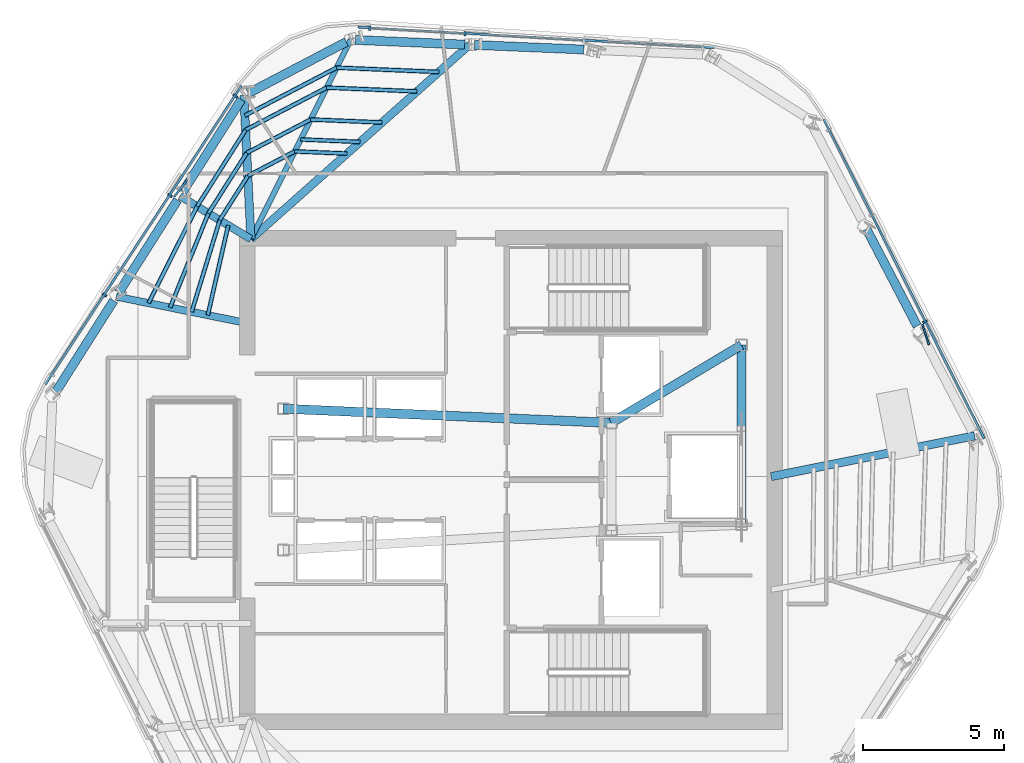
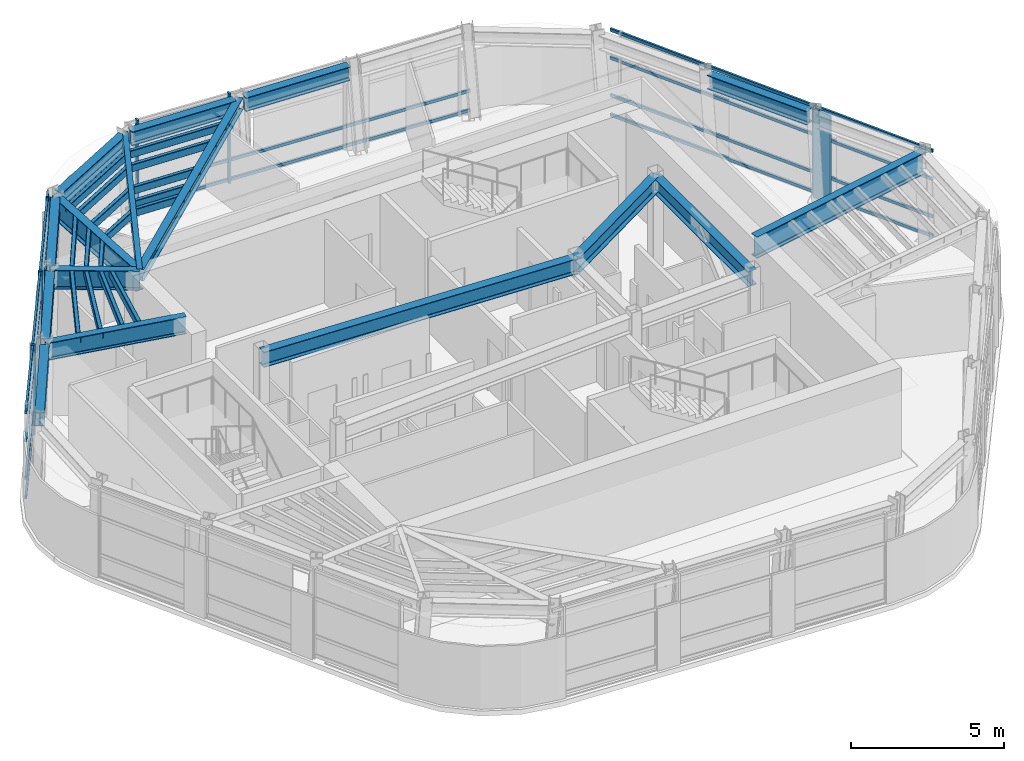
# One storey, part 4 of 13: 34 members, 16 beams, 3 elements without a shape of their own.
"""IFC4 building model written with IfcOpenShell, lengths in metres."""

from ifc_helpers import new_model, si_unit, direction, frame, origin, origin_2d, place, context, subcontext, project, spatial, rectangle, hollow_rectangle, i_section, extrude, material, layer, layer_set, material_profile, profile_set, type_object, element, aggregate, save


model = new_model("IFC4")

# Units and contexts
model_context = context("Model", 3, precision=1e-05, world=origin(), true_north=direction((0.0, 1.0)))
body_context = subcontext(model_context, "Body", "Model", "MODEL_VIEW")
ifc_project = project(units=[si_unit("LENGTHUNIT", "METRE"), si_unit("AREAUNIT", "SQUARE_METRE"), si_unit("VOLUMEUNIT", "CUBIC_METRE"), si_unit("PLANEANGLEUNIT", "RADIAN"), si_unit("MASSUNIT", "GRAM", prefix="KILO")], contexts=[model_context])

# Site, building, storey
site_placement = place(None, origin())
site = spatial("IfcSite", under=ifc_project, at=site_placement, CompositionType="ELEMENT")
building_placement = place(site_placement, origin())
building = spatial("IfcBuilding", under=site, at=building_placement, Name="Valkerne Bourse Tower", CompositionType="ELEMENT")
storey_placement = place(building_placement, frame((0.0, 0.0, 269.800048828125)))
storey = spatial("IfcBuildingStorey", under=building, at=storey_placement, Name="L68", CompositionType="ELEMENT", Elevation=269.800048828125)

# Beams
ifc_material_1 = material(Name="Steel ASTM A992", Category="steel")
ifc_material_profile_1 = material_profile(ifc_material_1, i_section(OverallWidth=0.1904296875, OverallDepth=0.457275390625, WebThickness=0.009033203125, FlangeThickness=0.014404296875, FilletRadius=0.01513671875, at=origin_2d()), Name="W18X50")
ifc_profile_set_1 = profile_set([ifc_material_profile_1], Name="Steel ASTM A992")
beam_type_1 = type_object("IfcBeamType", Name="BM-W18X50", PredefinedType="JOIST", material=ifc_profile_set_1)
beam_1_placement = place(storey_placement, frame((41.1240234375, 42.449951171875, 3.371337890625), z_axis=(-0.447102079797, -0.894482940162, 0.0), x_axis=(0.894482940162, -0.447102079797, 0.0)))
element("IfcBeam", 1, at=beam_1_placement, inside=storey, type_object=beam_type_1, Name="L68 Radial Composite Floor Beam 03", PredefinedType="JOIST", context=body_context, shape_type="SweptSolid", body=[
    extrude(i_section(OverallWidth=0.1904296875, OverallDepth=0.457275390625, WebThickness=0.009033203125, FlangeThickness=0.014404296875, FilletRadius=0.01513671875, at=origin_2d()), origin(), (0.0, 0.0, 1.0), 7.881591796875),
])
ifc_material_profile_2 = material_profile(ifc_material_1, i_section(OverallWidth=0.279296875, OverallDepth=0.46240234375, WebThickness=0.0107421875, FlangeThickness=0.017333984375, FilletRadius=0.017822265625, at=origin_2d()), Name="W18X76")
ifc_profile_set_2 = profile_set([ifc_material_profile_2], Name="Steel ASTM A992")
beam_type_2 = type_object("IfcBeamType", Name="BM-W18X76", PredefinedType="BEAM", material=ifc_profile_set_2)
beam_2_placement = place(storey_placement, frame((45.332275390625, 42.273681640625, 3.36865234375), z_axis=(-0.747374164665, -0.664403384994, 0.0), x_axis=(0.664403384994, -0.747374164665, 0.0)))
element("IfcBeam", 2, at=beam_2_placement, inside=storey, type_object=beam_type_2, Name="L68 Radial Composite Floor Beam 02", PredefinedType="BEAM", context=body_context, shape_type="SweptSolid", body=[
    extrude(i_section(OverallWidth=0.279296875, OverallDepth=0.46240234375, WebThickness=0.0107421875, FlangeThickness=0.017333984375, FilletRadius=0.017822265625, at=origin_2d()), origin(), (0.0, 0.0, 1.0), 10.345703125),
])
ifc_material_profile_3 = material_profile(ifc_material_1, i_section(OverallWidth=0.31494140625, OverallDepth=0.5537109375, WebThickness=0.0166015625, FlangeThickness=0.026123046875, FilletRadius=0.020263671875, at=origin_2d()), Name="W21X132")
ifc_profile_set_3 = profile_set([ifc_material_profile_3], Name="Steel ASTM A992")
beam_type_3 = type_object("IfcBeamType", Name="BM-W21X132", PredefinedType="BEAM", material=ifc_profile_set_3)
for number, where, z_axis, x_axis, name in (
    (3, (49.37060546875, 42.104248046875, 3.322998046875), (-0.999120460102, 0.041932161942, 0.0), (-0.041932161942, -0.999120460102, 0.0), "L68 Hexagonal Spandrel Ring Beam 01"),
    (4, (45.162353515625, 42.28076171875, 3.322998046875), (-0.99912309987, 0.041869216681, 0.0), (-0.041869216681, -0.99912309987, 0.0), "L68 Hexagonal Spandrel Ring Beam 02"),
):
    element("IfcBeam", number, at=place(storey_placement, frame(where, z_axis=z_axis, x_axis=x_axis)), inside=storey, type_object=beam_type_3, Name=name, PredefinedType="BEAM", context=body_context, shape_type="SweptSolid", body=[
        extrude(i_section(OverallWidth=0.31494140625, OverallDepth=0.5537109375, WebThickness=0.0166015625, FlangeThickness=0.026123046875, FilletRadius=0.020263671875, at=origin_2d()), origin(), (0.0, 0.0, 1.0), 3.871826171875),
    ])
beam_3_placement = place(storey_placement, frame((40.973388671875, 42.37109375, 3.322998046875), z_axis=(-0.886213226144, -0.463277581809, 0.0), x_axis=(0.463277581809, -0.886213226144, 0.0)))
element("IfcBeam", 5, at=beam_3_placement, inside=storey, type_object=beam_type_3, Name="L68 Hexagonal Spandrel Ring Beam 03", PredefinedType="BEAM", context=body_context, shape_type="SweptSolid", body=[
    extrude(i_section(OverallWidth=0.31494140625, OverallDepth=0.5537109375, WebThickness=0.0166015625, FlangeThickness=0.026123046875, FilletRadius=0.020263671875, at=origin_2d()), origin(), (0.0, 0.0, 1.0), 3.91552734375),
])
beam_4_placement = place(storey_placement, frame((37.261474609375, 40.3349609375, 3.322998046875), z_axis=(-0.535789864595, -0.844351361103, 0.0), x_axis=(0.844351361103, -0.535789864595, 0.0)))
element("IfcBeam", 6, at=beam_4_placement, inside=storey, type_object=beam_type_3, Name="L68 Hexagonal Spandrel Ring Beam 04", PredefinedType="BEAM", context=body_context, shape_type="SweptSolid", body=[
    extrude(i_section(OverallWidth=0.31494140625, OverallDepth=0.5537109375, WebThickness=0.0166015625, FlangeThickness=0.026123046875, FilletRadius=0.020263671875, at=origin_2d()), origin(), (0.0, 0.0, 1.0), 3.872314453125),
])
for number, where, z_axis, x_axis, name in (
    (7, (35.004638671875, 36.778564453125, 3.322998046875), (-0.535818388825, -0.844333260151, 0.0), (0.844333260151, -0.535818388825, 0.0), "L68 Hexagonal Spandrel Ring Beam 05"),
    (8, (32.747802734375, 33.22216796875, 3.322998046875), (-0.535818388825, -0.844333260151, 0.0), (0.844333260151, -0.535818388825, 0.0), "L68 Hexagonal Spandrel Ring Beam 06"),
):
    element("IfcBeam", number, at=place(storey_placement, frame(where, z_axis=z_axis, x_axis=x_axis)), inside=storey, type_object=beam_type_3, Name=name, PredefinedType="BEAM", context=body_context, shape_type="SweptSolid", body=[
        extrude(i_section(OverallWidth=0.31494140625, OverallDepth=0.5537109375, WebThickness=0.0166015625, FlangeThickness=0.026123046875, FilletRadius=0.020263671875, at=origin_2d()), origin(), (0.0, 0.0, 1.0), 3.8720703125),
    ])
beam_5_placement = place(storey_placement, frame((61.166015625, 32.325927734375, 3.322998046875), z_axis=(-0.463283473912, 0.886210145959, 0.0), x_axis=(-0.886210145959, -0.463283473912, 0.0)))
element("IfcBeam", 9, at=beam_5_placement, inside=storey, type_object=beam_type_3, Name="L68 Hexagonal Spandrel Ring Beam 21", PredefinedType="BEAM", context=body_context, shape_type="SweptSolid", body=[
    extrude(i_section(OverallWidth=0.31494140625, OverallDepth=0.5537109375, WebThickness=0.0166015625, FlangeThickness=0.026123046875, FilletRadius=0.020263671875, at=origin_2d()), origin(), (0.0, 0.0, 1.0), 3.871826171875),
])
ifc_material_profile_4 = material_profile(ifc_material_1, i_section(OverallWidth=0.3251953125, OverallDepth=0.612060546875, WebThickness=0.0126953125, FlangeThickness=0.01904296875, FilletRadius=0.020263671875, at=origin_2d()), Name="W24X104")
ifc_profile_set_4 = profile_set([ifc_material_profile_4], Name="Steel ASTM A992")
beam_type_4 = type_object("IfcBeamType", Name="BM-W24X104", PredefinedType="BEAM", material=ifc_profile_set_4)
beam_6_placement = place(storey_placement, frame((50.35009765625, 28.89990234375, 3.2939453125), z_axis=(0.858307823492, 0.513135148019, 0.0), x_axis=(-0.513135148019, 0.858307823492, 0.0)))
element("IfcBeam", 10, at=beam_6_placement, inside=storey, type_object=beam_type_4, Name="L68 Core Frame Girder CG-NE", PredefinedType="BEAM", context=body_context, shape_type="SweptSolid", body=[
    extrude(i_section(OverallWidth=0.3251953125, OverallDepth=0.612060546875, WebThickness=0.0126953125, FlangeThickness=0.01904296875, FilletRadius=0.020263671875, at=origin_2d()), origin(), (0.0, 0.0, 1.0), 5.359130859375),
])
beam_7_placement = place(storey_placement, frame((54.949951171875, 25.300048828125, 3.2939453125), z_axis=(0.0, 1.0, 0.0), x_axis=(-1.0, 0.0, 0.0)))
element("IfcBeam", 11, at=beam_7_placement, inside=storey, type_object=beam_type_4, Name="L68 Core Frame Girder CG-EE", PredefinedType="BEAM", context=body_context, shape_type="SweptSolid", body=[
    extrude(i_section(OverallWidth=0.3251953125, OverallDepth=0.612060546875, WebThickness=0.0126953125, FlangeThickness=0.01904296875, FilletRadius=0.020263671875, at=origin_2d()), origin(), (0.0, 0.0, 1.0), 6.349853515625),
])
beam_8_placement = place(storey_placement, frame((38.75, 29.39990234375, 3.2939453125), z_axis=(0.999072354402, -0.043063101019, 0.0), x_axis=(0.043063101019, 0.999072354402, 0.0)))
element("IfcBeam", 12, at=beam_8_placement, inside=storey, type_object=beam_type_4, Name="L68 Core Frame Girder CG-NW", PredefinedType="BEAM", context=body_context, shape_type="SweptSolid", body=[
    extrude(i_section(OverallWidth=0.3251953125, OverallDepth=0.612060546875, WebThickness=0.0126953125, FlangeThickness=0.01904296875, FilletRadius=0.020263671875, at=origin_2d()), origin(), (0.0, 0.0, 1.0), 11.61083984375),
])
ifc_material_profile_5 = material_profile(ifc_material_1, i_section(OverallWidth=0.255859375, OverallDepth=0.693359375, WebThickness=0.014404296875, FlangeThickness=0.023681640625, FilletRadius=0.02294921875, at=origin_2d()), Name="W27X114")
ifc_profile_set_5 = profile_set([ifc_material_profile_5], Name="Steel ASTM A992")
beam_type_5 = type_object("IfcBeamType", Name="BM-W27X114", PredefinedType="BEAM", material=ifc_profile_set_5)
beam_9_placement = place(storey_placement, frame((32.8388671875, 33.36572265625, 3.253173828125), z_axis=(0.980039671609, -0.198802017274, 0.0), x_axis=(0.198802017274, 0.980039671609, 0.0)))
element("IfcBeam", 13, at=beam_9_placement, inside=storey, type_object=beam_type_5, Name="L68 Radial Composite Floor Beam 06", PredefinedType="BEAM", context=body_context, shape_type="SweptSolid", body=[
    extrude(i_section(OverallWidth=0.255859375, OverallDepth=0.693359375, WebThickness=0.014404296875, FlangeThickness=0.023681640625, FilletRadius=0.02294921875, at=origin_2d()), origin(), (0.0, 0.0, 1.0), 4.858154296875),
])
ifc_material_profile_6 = material_profile(ifc_material_1, i_section(OverallWidth=0.26806640625, OverallDepth=0.76953125, WebThickness=0.015625, FlangeThickness=0.025390625, FilletRadius=0.025390625, at=origin_2d()), Name="W30X132")
ifc_profile_set_6 = profile_set([ifc_material_profile_6], Name="Steel ASTM A992")
beam_type_6 = type_object("IfcBeamType", Name="BM-W30X132", PredefinedType="BEAM", material=ifc_profile_set_6)
beam_10_placement = place(storey_placement, frame((35.095703125, 36.922119140625, 3.215087890625), z_axis=(0.854531366224, -0.519399792202, 0.0), x_axis=(0.519399792202, 0.854531366224, 0.0)))
element("IfcBeam", 14, at=beam_10_placement, inside=storey, type_object=beam_type_6, Name="L68 Radial Composite Floor Beam 05", PredefinedType="BEAM", context=body_context, shape_type="SweptSolid", body=[
    extrude(i_section(OverallWidth=0.26806640625, OverallDepth=0.76953125, WebThickness=0.015625, FlangeThickness=0.025390625, FilletRadius=0.025390625, at=origin_2d()), origin(), (0.0, 0.0, 1.0), 2.9306640625),
])
ifc_material_profile_7 = material_profile(ifc_material_1, i_section(OverallWidth=0.2919921875, OverallDepth=0.8583984375, WebThickness=0.01708984375, FlangeThickness=0.031005859375, FilletRadius=0.025390625, at=origin_2d()), Name="W33X169")
ifc_profile_set_7 = profile_set([ifc_material_profile_7], Name="Steel ASTM A992")
beam_type_7 = type_object("IfcBeamType", Name="BM-W33X169", PredefinedType="BEAM", material=ifc_profile_set_7)
beam_11_placement = place(storey_placement, frame((37.3525390625, 40.478515625, 3.170654296875), z_axis=(0.048687503947, -0.998814060253, 0.0), x_axis=(0.998814060253, 0.048687503947, 0.0)))
element("IfcBeam", 15, at=beam_11_placement, inside=storey, type_object=beam_type_7, Name="L68 Radial Composite Floor Beam 04", PredefinedType="BEAM", context=body_context, shape_type="SweptSolid", body=[
    extrude(i_section(OverallWidth=0.2919921875, OverallDepth=0.8583984375, WebThickness=0.01708984375, FlangeThickness=0.031005859375, FilletRadius=0.025390625, at=origin_2d()), origin(), (0.0, 0.0, 1.0), 5.084716796875),
])
beam_12_placement = place(storey_placement, frame((63.1962890625, 28.4423828125, 3.170654296875), z_axis=(-0.980498708854, -0.196525524898, 0.0), x_axis=(0.196525524898, -0.980498708854, 0.0)))
element("IfcBeam", 16, at=beam_12_placement, inside=storey, type_object=beam_type_7, Name="L68 Radial Composite Floor Beam 20", PredefinedType="BEAM", context=body_context, shape_type="SweptSolid", body=[
    extrude(i_section(OverallWidth=0.2919921875, OverallDepth=0.8583984375, WebThickness=0.01708984375, FlangeThickness=0.031005859375, FilletRadius=0.025390625, at=origin_2d()), origin(), (0.0, 0.0, 1.0), 7.33935546875),
])

# Curtain wall, members
ifc_material_2 = material(Name="Aluminium AA 6063-T6", Category="aluminium")
ifc_layer = layer(ifc_material_2, 0.2451171875)
ifc_layer_set = layer_set([ifc_layer], Name="Aluminium AA 6063-T6")
curtain_wall_type = type_object("IfcCurtainWallType", Name="CW-05", PredefinedType="NOTDEFINED", material=ifc_layer_set)
curtain_wall_1_placement = place(storey_placement, origin())
curtain_wall_1 = element("IfcCurtainWall", 17, at=curtain_wall_1_placement, inside=storey, type_object=curtain_wall_type, Name="L68 Hexagonal Stick Curtain Wall Face 1", PredefinedType="NOTDEFINED")
ifc_material_profile_8 = material_profile(ifc_material_2, rectangle(XDim=0.074951171875, YDim=0.159912109375, at=origin_2d()), Name="CWM-75X160")
ifc_profile_set_8 = profile_set([ifc_material_profile_8], Name="Aluminium AA 6063-T6")
member_type_1 = type_object("IfcMemberType", Name="CW-MUL-160X75", PredefinedType="MULLION", material=ifc_profile_set_8)
member_1_placement = place(storey_placement, frame((45.172607421875, 42.658447265625, 0.0), z_axis=(0.0, 0.0, 1.0), x_axis=(-0.99834261844, 0.05755011908, 0.0)))
member_1 = element("IfcMember", 18, at=member_1_placement, type_object=member_type_1, Name="CW-L68-F1 Jamb Mullion 02A", PredefinedType="MULLION", context=body_context, shape_type="SweptSolid", body=[
    extrude(rectangle(XDim=0.074951171875, YDim=0.159912109375, at=origin_2d()), origin(), (0.0, 0.0, 1.0), 3.599853515625),
])
member_2_placement = place(storey_placement, frame((41.806396484375, 42.8525390625, 0.0), z_axis=(0.0, 0.0, 1.0), x_axis=(-0.99834261844, 0.05755011908, 0.0)))
member_2 = element("IfcMember", 19, at=member_2_placement, type_object=member_type_1, Name="CW-L68-F1 Jamb Mullion 02B", PredefinedType="MULLION", context=body_context, shape_type="SweptSolid", body=[
    extrude(rectangle(XDim=0.074951171875, YDim=0.159912109375, at=origin_2d()), origin(), (0.0, 0.0, 1.0), 3.599853515625),
])

curtain_wall_2_placement = place(storey_placement, origin())
curtain_wall_2 = element("IfcCurtainWall", 20, at=curtain_wall_2_placement, inside=storey, type_object=curtain_wall_type, Name="L68 Hexagonal Stick Curtain Wall Face 2", PredefinedType="NOTDEFINED")
member_3_placement = place(storey_placement, frame((37.05078125, 40.460693359375, 0.0), z_axis=(0.0, 0.0, 1.0), x_axis=(-0.549027698442, -0.835804155495, 0.0)))
member_3 = element("IfcMember", 21, at=member_3_placement, type_object=member_type_1, Name="CW-L68-F2 Jamb Mullion 00A", PredefinedType="MULLION", context=body_context, shape_type="SweptSolid", body=[
    extrude(rectangle(XDim=0.074951171875, YDim=0.159912109375, at=origin_2d()), origin(), (0.0, 0.0, 1.0), 3.599853515625),
])
member_4_placement = place(storey_placement, frame((34.73828125, 36.940185546875, 0.0), z_axis=(0.0, 0.0, 1.0), x_axis=(-0.549016804002, -0.835811311795, 0.0)))
member_4 = element("IfcMember", 22, at=member_4_placement, type_object=member_type_1, Name="CW-L68-F2 Jamb Mullion 01A", PredefinedType="MULLION", context=body_context, shape_type="SweptSolid", body=[
    extrude(rectangle(XDim=0.074951171875, YDim=0.159912109375, at=origin_2d()), origin(), (0.0, 0.0, 1.0), 3.599853515625),
])
member_5_placement = place(storey_placement, frame((32.42578125, 33.419921875, 0.0), z_axis=(0.0, 0.0, 1.0), x_axis=(-0.549011112876, -0.835815050079, 0.0)))
member_5 = element("IfcMember", 23, at=member_5_placement, type_object=member_type_1, Name="CW-L68-F2 Jamb Mullion 02A", PredefinedType="MULLION", context=body_context, shape_type="SweptSolid", body=[
    extrude(rectangle(XDim=0.074951171875, YDim=0.159912109375, at=origin_2d()), origin(), (0.0, 0.0, 1.0), 3.599853515625),
])

# Curtain wall, member
curtain_wall_3_placement = place(storey_placement, origin())
curtain_wall_3 = element("IfcCurtainWall", 24, at=curtain_wall_3_placement, inside=storey, type_object=curtain_wall_type, Name="L68 Hexagonal Stick Curtain Wall Face 6", PredefinedType="NOTDEFINED")
member_6_placement = place(storey_placement, frame((61.439453125, 32.4755859375, 0.0), z_axis=(0.0, 0.0, 1.0), x_axis=(-0.449311128056, 0.893375346764, 0.0)))
member_6 = element("IfcMember", 25, at=member_6_placement, type_object=member_type_1, Name="CW-L68-F6 Jamb Mullion 01A", PredefinedType="MULLION", context=body_context, shape_type="SweptSolid", body=[
    extrude(rectangle(XDim=0.074951171875, YDim=0.159912109375, at=origin_2d()), origin(), (0.0, 0.0, 1.0), 3.599853515625),
])

# Member
ifc_material_profile_9 = material_profile(ifc_material_2, rectangle(XDim=0.074951171875, YDim=0.1201171875, at=origin_2d()), Name="CWT-75X120")
ifc_profile_set_9 = profile_set([ifc_material_profile_9], Name="Aluminium AA 6063-T6")
member_type_2 = type_object("IfcMemberType", Name="CW-TRN-120X75", PredefinedType="USERDEFINED", material=ifc_profile_set_9)
member_7_placement = place(storey_placement, frame((54.003173828125, 42.169189453125, 0.119873046875), z_axis=(-0.998342184249, 0.057557650653, 0.0), x_axis=(-0.057557650653, -0.998342184249, 0.0)))
member_7 = element("IfcMember", 26, at=member_7_placement, type_object=member_type_2, Name="CW-L68-F1 Continuous Face Transom 1", ObjectType="TRANSOM", PredefinedType="USERDEFINED", context=body_context, shape_type="SweptSolid", body=[
    extrude(rectangle(XDim=0.074951171875, YDim=0.1201171875, at=origin_2d()), origin(), (0.0, 0.0, 1.0), 12.635986328125),
])

member_8_placement = place(storey_placement, frame((54.003173828125, 42.169189453125, 0.89990234375), z_axis=(-0.998342184249, 0.057557650653, 0.0), x_axis=(-0.057557650653, -0.998342184249, 0.0)))
member_8 = element("IfcMember", 27, at=member_8_placement, type_object=member_type_2, Name="CW-L68-F1 Continuous Face Transom 2", ObjectType="TRANSOM", PredefinedType="USERDEFINED", context=body_context, shape_type="SweptSolid", body=[
    extrude(rectangle(XDim=0.074951171875, YDim=0.1201171875, at=origin_2d()), origin(), (0.0, 0.0, 1.0), 12.635986328125),
])

aggregate(curtain_wall_1, [member_7, member_8, member_1, member_2])

member_9_placement = place(storey_placement, frame((37.2646484375, 40.82275390625, 0.119873046875), z_axis=(-0.549024818759, -0.835806047111, 0.0), x_axis=(0.835806047111, -0.549024818759, 0.0)))
member_9 = element("IfcMember", 28, at=member_9_placement, type_object=member_type_2, Name="CW-L68-F2 Continuous Face Transom 1", ObjectType="TRANSOM", PredefinedType="USERDEFINED", context=body_context, shape_type="SweptSolid", body=[
    extrude(rectangle(XDim=0.074951171875, YDim=0.1201171875, at=origin_2d()), origin(), (0.0, 0.0, 1.0), 12.635986328125),
])

member_10_placement = place(storey_placement, frame((37.2646484375, 40.82275390625, 0.89990234375), z_axis=(-0.549024818759, -0.835806047111, 0.0), x_axis=(0.835806047111, -0.549024818759, 0.0)))
member_10 = element("IfcMember", 29, at=member_10_placement, type_object=member_type_2, Name="CW-L68-F2 Continuous Face Transom 2", ObjectType="TRANSOM", PredefinedType="USERDEFINED", context=body_context, shape_type="SweptSolid", body=[
    extrude(rectangle(XDim=0.074951171875, YDim=0.1201171875, at=origin_2d()), origin(), (0.0, 0.0, 1.0), 12.635986328125),
])

member_11_placement = place(storey_placement, frame((37.2646484375, 40.82275390625, 2.39990234375), z_axis=(-0.549024818759, -0.835806047111, 0.0), x_axis=(0.835806047111, -0.549024818759, 0.0)))
member_11 = element("IfcMember", 30, at=member_11_placement, type_object=member_type_2, Name="CW-L68-F2 Continuous Face Transom 3", ObjectType="TRANSOM", PredefinedType="USERDEFINED", context=body_context, shape_type="SweptSolid", body=[
    extrude(rectangle(XDim=0.074951171875, YDim=0.1201171875, at=origin_2d()), origin(), (0.0, 0.0, 1.0), 12.635986328125),
])

member_12_placement = place(storey_placement, frame((37.2646484375, 40.82275390625, 3.52001953125), z_axis=(-0.549024818759, -0.835806047111, 0.0), x_axis=(0.835806047111, -0.549024818759, 0.0)))
member_12 = element("IfcMember", 31, at=member_12_placement, type_object=member_type_2, Name="CW-L68-F2 Continuous Face Transom 4", ObjectType="TRANSOM", PredefinedType="USERDEFINED", context=body_context, shape_type="SweptSolid", body=[
    extrude(rectangle(XDim=0.074951171875, YDim=0.1201171875, at=origin_2d()), origin(), (0.0, 0.0, 1.0), 12.635986328125),
])

aggregate(curtain_wall_2, [member_9, member_10, member_11, member_12, member_3, member_4, member_5])

member_13_placement = place(storey_placement, frame((63.53857421875, 28.3466796875, 0.119873046875), z_axis=(-0.449329927276, 0.893365891701, 0.0), x_axis=(-0.893365891701, -0.449329927276, 0.0)))
member_13 = element("IfcMember", 32, at=member_13_placement, type_object=member_type_2, Name="CW-L68-F6 Continuous Face Transom 1", ObjectType="TRANSOM", PredefinedType="USERDEFINED", context=body_context, shape_type="SweptSolid", body=[
    extrude(rectangle(XDim=0.074951171875, YDim=0.1201171875, at=origin_2d()), origin(), (0.0, 0.0, 1.0), 12.635986328125),
])

member_14_placement = place(storey_placement, frame((63.53857421875, 28.3466796875, 0.89990234375), z_axis=(-0.449329927276, 0.893365891701, 0.0), x_axis=(-0.893365891701, -0.449329927276, 0.0)))
member_14 = element("IfcMember", 33, at=member_14_placement, type_object=member_type_2, Name="CW-L68-F6 Continuous Face Transom 2", ObjectType="TRANSOM", PredefinedType="USERDEFINED", context=body_context, shape_type="SweptSolid", body=[
    extrude(rectangle(XDim=0.074951171875, YDim=0.1201171875, at=origin_2d()), origin(), (0.0, 0.0, 1.0), 12.635986328125),
])

member_15_placement = place(storey_placement, frame((63.53857421875, 28.3466796875, 2.39990234375), z_axis=(-0.449329927276, 0.893365891701, 0.0), x_axis=(-0.893365891701, -0.449329927276, 0.0)))
member_15 = element("IfcMember", 34, at=member_15_placement, type_object=member_type_2, Name="CW-L68-F6 Continuous Face Transom 3", ObjectType="TRANSOM", PredefinedType="USERDEFINED", context=body_context, shape_type="SweptSolid", body=[
    extrude(rectangle(XDim=0.074951171875, YDim=0.1201171875, at=origin_2d()), origin(), (0.0, 0.0, 1.0), 12.635986328125),
])

member_16_placement = place(storey_placement, frame((63.53857421875, 28.3466796875, 3.52001953125), z_axis=(-0.449329927276, 0.893365891701, 0.0), x_axis=(-0.893365891701, -0.449329927276, 0.0)))
member_16 = element("IfcMember", 35, at=member_16_placement, type_object=member_type_2, Name="CW-L68-F6 Continuous Face Transom 4", ObjectType="TRANSOM", PredefinedType="USERDEFINED", context=body_context, shape_type="SweptSolid", body=[
    extrude(rectangle(XDim=0.074951171875, YDim=0.1201171875, at=origin_2d()), origin(), (0.0, 0.0, 1.0), 12.635986328125),
])

aggregate(curtain_wall_3, [member_13, member_14, member_15, member_16, member_6])

# Members
ifc_material_3 = material(Name="Bronze Anodised Aluminium AA 6063-T6", Category="aluminium")
ifc_material_profile_10 = material_profile(ifc_material_3, rectangle(XDim=0.06494140625, YDim=0.75, at=origin_2d()), Name="FIN-65X750")
ifc_profile_set_10 = profile_set([ifc_material_profile_10], Name="Bronze Anodised Aluminium AA 6063-T6")
member_type_3 = type_object("IfcMemberType", Name="FIN-SOLAR-650", PredefinedType="USERDEFINED", material=ifc_profile_set_10)
for number, where, z_axis, x_axis, name in (
    (36, (35.119384765625, 37.1923828125, 0.00390625), (0.0, 0.0, 1.0), (-0.783855926225, 0.620942740453, 0.0), "L68 Bronze Anodised Solar Fin F2-01"),
    (37, (61.46728515625, 32.01953125, 0.00390625), (0.0, 0.0, 1.0), (0.951346290633, 0.308123733747, 0.0), "L68 Bronze Anodised Solar Fin F6-01"),
):
    element("IfcMember", number, at=place(storey_placement, frame(where, z_axis=z_axis, x_axis=x_axis)), inside=storey, type_object=member_type_3, Name=name, ObjectType="SOLAR_FIN", PredefinedType="USERDEFINED", context=body_context, shape_type="SweptSolid", body=[
        extrude(rectangle(XDim=0.06494140625, YDim=0.75, at=origin_2d()), origin(), (0.0, 0.0, 1.0), 3.592041015625),
    ])
ifc_material_4 = material(Name="Steel ASTM A500 Grade C", Category="steel")
ifc_material_profile_11 = material_profile(ifc_material_4, hollow_rectangle(XDim=0.14990234375, YDim=0.300048828125, WallThickness=0.012451171875, OuterFilletRadius=0.02490234375, at=origin_2d()), Name="HSS300X150X12.5")
ifc_profile_set_11 = profile_set([ifc_material_profile_11], Name="Steel ASTM A500 Grade C")
member_type_4 = type_object("IfcMemberType", Name="MBR-HSS300X150X12.5", PredefinedType="PURLIN", material=ifc_profile_set_11)
member_17_placement = place(storey_placement, frame((36.798583984375, 35.886962890625, 3.43994140625), z_axis=(-0.221591962571, -0.975139478292, 0.0), x_axis=(0.975139478292, -0.221591962571, 0.0)))
element("IfcMember", 38, at=member_17_placement, inside=storey, type_object=member_type_4, Name="L68 Secondary Composite Floor Purlin I-05", PredefinedType="PURLIN", context=body_context, shape_type="SweptSolid", body=[
    extrude(hollow_rectangle(XDim=0.14990234375, YDim=0.300048828125, WallThickness=0.012451171875, OuterFilletRadius=0.02490234375, at=origin_2d()), origin(), (0.0, 0.0, 1.0), 3.259033203125),
])
member_18_placement = place(storey_placement, frame((41.002197265625, 38.42431640625, 3.43994140625), z_axis=(-0.9991220791, 0.04189356819, 0.0), x_axis=(-0.04189356819, -0.9991220791, 0.0)))
element("IfcMember", 39, at=member_18_placement, inside=storey, type_object=member_type_4, Name="L68 Secondary Composite Floor Purlin K-02", PredefinedType="PURLIN", context=body_context, shape_type="SweptSolid", body=[
    extrude(hollow_rectangle(XDim=0.14990234375, YDim=0.300048828125, WallThickness=0.012451171875, OuterFilletRadius=0.02490234375, at=origin_2d()), origin(), (0.0, 0.0, 1.0), 1.853271484375),
])
member_19_placement = place(storey_placement, frame((39.150634765625, 38.501953125, 3.43994140625), z_axis=(-0.886224227388, -0.463256536694, 0.0), x_axis=(0.463256536694, -0.886224227388, 0.0)))
element("IfcMember", 40, at=member_19_placement, inside=storey, type_object=member_type_4, Name="L68 Secondary Composite Floor Purlin K-03", PredefinedType="PURLIN", context=body_context, shape_type="SweptSolid", body=[
    extrude(hollow_rectangle(XDim=0.14990234375, YDim=0.300048828125, WallThickness=0.012451171875, OuterFilletRadius=0.02490234375, at=origin_2d()), origin(), (0.0, 0.0, 1.0), 1.87255859375),
])
member_20_placement = place(storey_placement, frame((37.4912109375, 37.634521484375, 3.43994140625), z_axis=(-0.535835274518, -0.844322544164, 0.0), x_axis=(0.844322544164, -0.535835274518, 0.0)))
element("IfcMember", 41, at=member_20_placement, inside=storey, type_object=member_type_4, Name="L68 Secondary Composite Floor Purlin K-04", PredefinedType="PURLIN", context=body_context, shape_type="SweptSolid", body=[
    extrude(hollow_rectangle(XDim=0.14990234375, YDim=0.300048828125, WallThickness=0.012451171875, OuterFilletRadius=0.02490234375, at=origin_2d()), origin(), (0.0, 0.0, 1.0), 1.853515625),
])
member_21_placement = place(storey_placement, frame((36.498046875, 36.069580078125, 3.43994140625), z_axis=(-0.292624318472, -0.956227487703, 0.0), x_axis=(0.956227487703, -0.292624318472, 0.0)))
element("IfcMember", 42, at=member_21_placement, inside=storey, type_object=member_type_4, Name="L68 Secondary Composite Floor Purlin K-05", PredefinedType="PURLIN", context=body_context, shape_type="SweptSolid", body=[
    extrude(hollow_rectangle(XDim=0.14990234375, YDim=0.300048828125, WallThickness=0.012451171875, OuterFilletRadius=0.02490234375, at=origin_2d()), origin(), (0.0, 0.0, 1.0), 3.39306640625),
])
member_22_placement = place(storey_placement, frame((41.466064453125, 38.8369140625, 3.43994140625), z_axis=(-0.999123805854, 0.041852366432, 0.0), x_axis=(-0.041852366432, -0.999123805854, 0.0)))
element("IfcMember", 43, at=member_22_placement, inside=storey, type_object=member_type_4, Name="L68 Secondary Composite Floor Purlin M-02", PredefinedType="PURLIN", context=body_context, shape_type="SweptSolid", body=[
    extrude(hollow_rectangle(XDim=0.14990234375, YDim=0.300048828125, WallThickness=0.012451171875, OuterFilletRadius=0.02490234375, at=origin_2d()), origin(), (0.0, 0.0, 1.0), 2.10595703125),
])
member_23_placement = place(storey_placement, frame((43.4765625, 40.623779296875, 3.43994140625), z_axis=(-0.999119804586, 0.041947778055, 0.0), x_axis=(-0.041947778055, -0.999119804586, 0.0)))
element("IfcMember", 44, at=member_23_placement, inside=storey, type_object=member_type_4, Name="L68 Secondary Composite Floor Purlin O-02", PredefinedType="PURLIN", context=body_context, shape_type="SweptSolid", body=[
    extrude(hollow_rectangle(XDim=0.14990234375, YDim=0.300048828125, WallThickness=0.012451171875, OuterFilletRadius=0.02490234375, at=origin_2d()), origin(), (0.0, 0.0, 1.0), 3.201171875),
])
member_24_placement = place(storey_placement, frame((40.2783203125, 40.758056640625, 3.43994140625), z_axis=(-0.886188816632, -0.463324272273, 0.0), x_axis=(0.463324272273, -0.886188816632, 0.0)))
element("IfcMember", 45, at=member_24_placement, inside=storey, type_object=member_type_4, Name="L68 Secondary Composite Floor Purlin O-03", PredefinedType="PURLIN", context=body_context, shape_type="SweptSolid", body=[
    extrude(hollow_rectangle(XDim=0.14990234375, YDim=0.300048828125, WallThickness=0.012451171875, OuterFilletRadius=0.02490234375, at=origin_2d()), origin(), (0.0, 0.0, 1.0), 3.234375),
])
member_25_placement = place(storey_placement, frame((37.412109375, 39.259521484375, 3.43994140625), z_axis=(-0.535833849598, -0.844323448463, 0.0), x_axis=(0.844323448463, -0.535833849598, 0.0)))
element("IfcMember", 46, at=member_25_placement, inside=storey, type_object=member_type_4, Name="L68 Secondary Composite Floor Purlin O-04", PredefinedType="PURLIN", context=body_context, shape_type="SweptSolid", body=[
    extrude(hollow_rectangle(XDim=0.14990234375, YDim=0.300048828125, WallThickness=0.012451171875, OuterFilletRadius=0.02490234375, at=origin_2d()), origin(), (0.0, 0.0, 1.0), 3.201171875),
])
member_26_placement = place(storey_placement, frame((35.69677734375, 36.556640625, 3.43994140625), z_axis=(-0.448029631786, -0.894018707322, 0.0), x_axis=(0.894018707322, -0.448029631786, 0.0)))
element("IfcMember", 47, at=member_26_placement, inside=storey, type_object=member_type_4, Name="L68 Secondary Composite Floor Purlin O-05", PredefinedType="PURLIN", context=body_context, shape_type="SweptSolid", body=[
    extrude(hollow_rectangle(XDim=0.14990234375, YDim=0.300048828125, WallThickness=0.012451171875, OuterFilletRadius=0.02490234375, at=origin_2d()), origin(), (0.0, 0.0, 1.0), 3.82861328125),
])
member_27_placement = place(storey_placement, frame((42.239501953125, 39.524169921875, 3.43994140625), z_axis=(-0.999124850302, 0.041827425329, 0.0), x_axis=(-0.041827425329, -0.999124850302, 0.0)))
element("IfcMember", 48, at=member_27_placement, inside=storey, type_object=member_type_4, Name="L68 Secondary Composite Floor Purlin Z-02", PredefinedType="PURLIN", context=body_context, shape_type="SweptSolid", body=[
    extrude(hollow_rectangle(XDim=0.14990234375, YDim=0.300048828125, WallThickness=0.012451171875, OuterFilletRadius=0.02490234375, at=origin_2d()), origin(), (0.0, 0.0, 1.0), 2.52734375),
])
member_28_placement = place(storey_placement, frame((39.71435546875, 39.6298828125, 3.43994140625), z_axis=(-0.886211168345, -0.463281518195, 0.0), x_axis=(0.463281518195, -0.886211168345, 0.0)))
element("IfcMember", 49, at=member_28_placement, inside=storey, type_object=member_type_4, Name="L68 Secondary Composite Floor Purlin Z-03", PredefinedType="PURLIN", context=body_context, shape_type="SweptSolid", body=[
    extrude(hollow_rectangle(XDim=0.14990234375, YDim=0.300048828125, WallThickness=0.012451171875, OuterFilletRadius=0.02490234375, at=origin_2d()), origin(), (0.0, 0.0, 1.0), 2.55322265625),
])
member_29_placement = place(storey_placement, frame((37.45166015625, 38.447021484375, 3.43994140625), z_axis=(-0.535856224326, -0.844309248351, 0.0), x_axis=(0.844309248351, -0.535856224326, 0.0)))
element("IfcMember", 50, at=member_29_placement, inside=storey, type_object=member_type_4, Name="L68 Secondary Composite Floor Purlin Z-04", PredefinedType="PURLIN", context=body_context, shape_type="SweptSolid", body=[
    extrude(hollow_rectangle(XDim=0.14990234375, YDim=0.300048828125, WallThickness=0.012451171875, OuterFilletRadius=0.02490234375, at=origin_2d()), origin(), (0.0, 0.0, 1.0), 2.52734375),
])
member_30_placement = place(storey_placement, frame((36.097412109375, 36.313232421875, 3.43994140625), z_axis=(-0.376298787217, -0.926498366291, 0.0), x_axis=(0.926498366291, -0.376298787217, 0.0)))
element("IfcMember", 51, at=member_30_placement, inside=storey, type_object=member_type_4, Name="L68 Secondary Composite Floor Purlin Z-05", PredefinedType="PURLIN", context=body_context, shape_type="SweptSolid", body=[
    extrude(hollow_rectangle(XDim=0.14990234375, YDim=0.300048828125, WallThickness=0.012451171875, OuterFilletRadius=0.02490234375, at=origin_2d()), origin(), (0.0, 0.0, 1.0), 3.59814453125),
])
member_31_placement = place(storey_placement, frame((44.249755859375, 41.311279296875, 3.43994140625), z_axis=(-0.999123703164, 0.04185481784, 0.0), x_axis=(-0.04185481784, -0.999123703164, 0.0)))
element("IfcMember", 52, at=member_31_placement, inside=storey, type_object=member_type_4, Name="L68 Secondary Composite Floor Purlin T-02", PredefinedType="PURLIN", context=body_context, shape_type="SweptSolid", body=[
    extrude(hollow_rectangle(XDim=0.14990234375, YDim=0.300048828125, WallThickness=0.012451171875, OuterFilletRadius=0.02490234375, at=origin_2d()), origin(), (0.0, 0.0, 1.0), 3.622314453125),
])
member_32_placement = place(storey_placement, frame((40.630615234375, 41.462890625, 3.43994140625), z_axis=(-0.886209882876, -0.46328397716, 0.0), x_axis=(0.46328397716, -0.886209882876, 0.0)))
element("IfcMember", 53, at=member_32_placement, inside=storey, type_object=member_type_4, Name="L68 Secondary Composite Floor Purlin T-03", PredefinedType="PURLIN", context=body_context, shape_type="SweptSolid", body=[
    extrude(hollow_rectangle(XDim=0.14990234375, YDim=0.300048828125, WallThickness=0.012451171875, OuterFilletRadius=0.02490234375, at=origin_2d()), origin(), (0.0, 0.0, 1.0), 3.659912109375),
])

save(model, "model.ifc")
